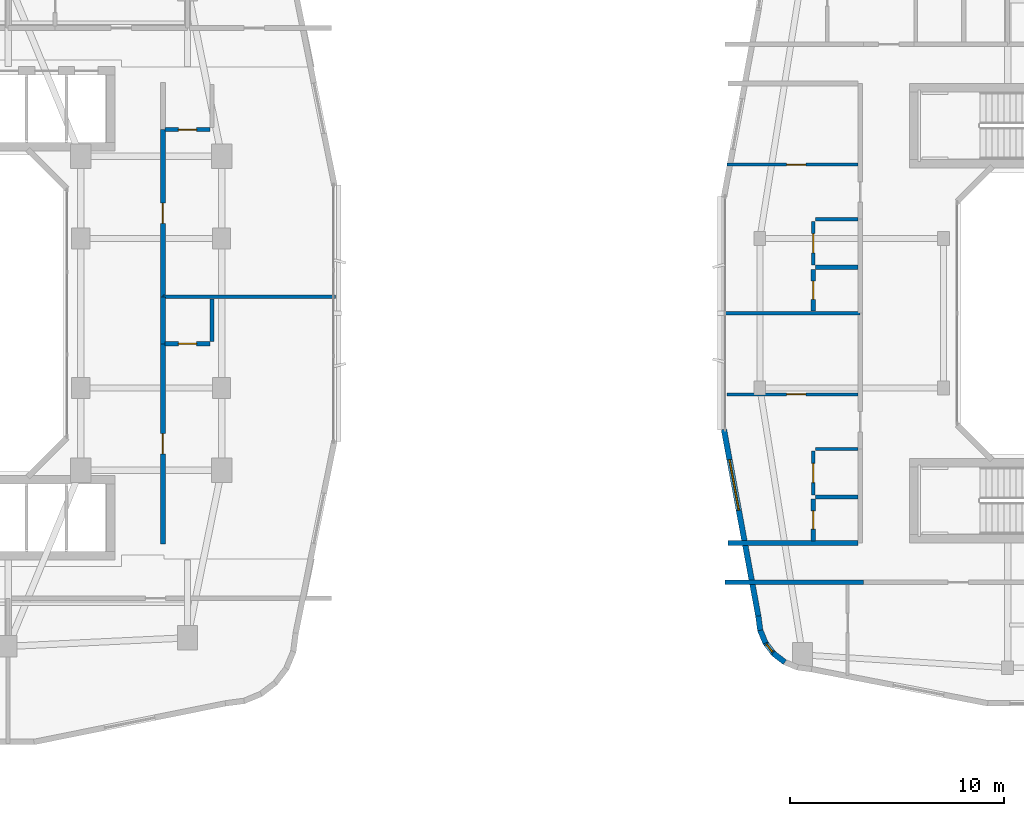
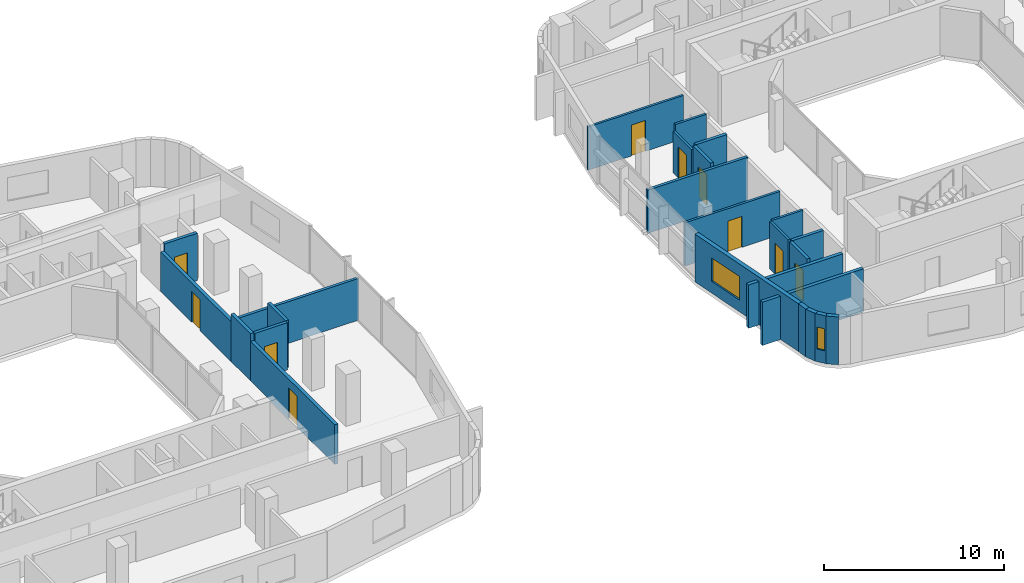
# One storey, part 10 of 22: 25 walls, 10 doors, 2 windows, 12 openings.
"""IFC4 building model written with IfcOpenShell, lengths in metres."""

import ifcopenshell
import ifcopenshell.guid

model = None  # the IFC model being written
_history = None  # IfcOwnerHistory: only IFC2X3 demands one
_inside = {}  # id of a spatial element -> (the spatial element, [elements in it])
_under = {}  # id of a project, library or spatial element -> (it, [spatial elements below it])
_declared = {}  # id of a project -> (the project, [libraries it declares])
_typed = {}  # id of a type object -> (the type object, [elements of that type])
_made_of = {}  # id of a material, layer set ... -> (it, [elements and type objects made of it])


def new_model(schema):
    """Start an empty IFC model of exactly this schema.

    Asked for "IFC4X3", IfcOpenShell would pick the latest addendum, in which some entities
    have other attributes; the version numbers below select the first issue.
    IFC2X3 requires an IfcOwnerHistory on every rooted entity: one is made here for all.
    """
    global model, _history
    if schema == "IFC4X3":
        model = ifcopenshell.file(schema_version=(4, 3, 0, 0))
    else:
        model = ifcopenshell.file(schema=schema)
    _inside.clear()
    _under.clear()
    _declared.clear()
    _typed.clear()
    _made_of.clear()
    _history = None
    if model.schema == "IFC2X3":
        org = make("IfcOrganization", Name="unknown")
        user = make(
            "IfcPersonAndOrganization",
            ThePerson=make("IfcPerson", FamilyName="unknown"),
            TheOrganization=org,
        )
        app = make(
            "IfcApplication",
            ApplicationDeveloper=org,
            Version="unknown",
            ApplicationFullName="unknown",
            ApplicationIdentifier="unknown",
        )
        _history = make(
            "IfcOwnerHistory",
            OwningUser=user,
            OwningApplication=app,
            ChangeAction="ADDED",
            CreationDate=0,
        )
    return model


def make(cls, **values):
    """One entity of the class cls with the attributes given. An attribute that is None is left unset."""
    return model.create_entity(
        cls, **{name: value for name, value in values.items() if value is not None}
    )


def rooted(cls, **values):
    """An entity with a GlobalId (a new one), such as an element, a storey or a relation."""
    return make(cls, GlobalId=ifcopenshell.guid.new(), OwnerHistory=_history, **values)


def si_unit(unit_type, name, prefix=None):
    """IfcSIUnit, for example si_unit("LENGTHUNIT", "METRE", prefix="MILLI")."""
    return make("IfcSIUnit", UnitType=unit_type, Prefix=prefix, Name=name)


def derived_unit(unit_type, elements):
    """IfcDerivedUnit: a product of units, each with its exponent."""
    return make(
        "IfcDerivedUnit",
        Elements=[
            make("IfcDerivedUnitElement", Unit=unit, Exponent=power)
            for unit, power in elements
        ],
        UnitType=unit_type,
    )


def assignment(units):
    """IfcUnitAssignment: the units of a project."""
    return None if units is None else make("IfcUnitAssignment", Units=units)


def point(xyz):
    """IfcCartesianPoint."""
    return None if xyz is None else make("IfcCartesianPoint", Coordinates=xyz)


def direction(xyz):
    """IfcDirection."""
    return None if xyz is None else make("IfcDirection", DirectionRatios=xyz)


def frame(location, z_axis=None, x_axis=None):
    """IfcAxis2Placement3D, a coordinate frame: its origin and axes. An axis left out is left unset."""
    return make(
        "IfcAxis2Placement3D",
        Location=point(location),
        Axis=direction(z_axis),
        RefDirection=direction(x_axis),
    )


def frame_2d(location, x_axis=None):
    """IfcAxis2Placement2D, a coordinate frame in the plane: its origin and x axis."""
    return make(
        "IfcAxis2Placement2D", Location=point(location), RefDirection=direction(x_axis)
    )


def origin():
    """The frame at (0, 0, 0) with its axes left unset."""
    return frame((0.0, 0.0, 0.0))


def place(relative_to, where):
    """IfcLocalPlacement: puts the frame where relative to a parent placement (None: the world)."""
    return make(
        "IfcLocalPlacement", PlacementRelTo=relative_to, RelativePlacement=where
    )


def context(
    kind, dimensions, precision=None, world=None, true_north=None, identifier=None
):
    """IfcGeometricRepresentationContext, for example the 3D "Model" context."""
    return make(
        "IfcGeometricRepresentationContext",
        ContextIdentifier=identifier,
        ContextType=kind,
        CoordinateSpaceDimension=dimensions,
        Precision=precision,
        WorldCoordinateSystem=world,
        TrueNorth=true_north,
    )


def subcontext(parent, identifier, kind, view, scale=None):
    """IfcGeometricRepresentationSubContext, for example "Body" below "Model"."""
    return make(
        "IfcGeometricRepresentationSubContext",
        ContextIdentifier=identifier,
        ContextType=kind,
        ParentContext=parent,
        TargetScale=scale,
        TargetView=view,
    )


def project(units=None, contexts=None):
    """IfcProject with its units and contexts."""
    return rooted(
        "IfcProject",
        Name="project",
        RepresentationContexts=contexts,
        UnitsInContext=assignment(units),
    )


def spatial(cls, under=None, at=None, **own):
    """A site, building, storey or space (cls), placed at a placement, below another one or the project."""
    s = rooted(cls, ObjectPlacement=at, **own)
    if under is not None:
        _under.setdefault(under.id(), (under, []))[1].append(s)
    return s


def profile(cls, at=None, kind="AREA", **sizes):
    """A parametric profile (cls). Its sizes go by their IFC names, for example OverallWidth=200.0."""
    return make(cls, ProfileType=kind, Position=at, **sizes)


def rectangle(**sizes):
    """IfcRectangleProfileDef."""
    return profile("IfcRectangleProfileDef", **sizes)


def extrude(swept, where, along, depth):
    """IfcExtrudedAreaSolid: the profile swept, set in the frame where, extruded along a direction by depth."""
    return make(
        "IfcExtrudedAreaSolid",
        SweptArea=swept,
        Position=where,
        ExtrudedDirection=direction(along),
        Depth=depth,
    )


def shape(context_of_items, identifier, shape_type, items):
    """IfcShapeRepresentation: the items that make up one representation, for example the "Body"."""
    return make(
        "IfcShapeRepresentation",
        ContextOfItems=context_of_items,
        RepresentationIdentifier=identifier,
        RepresentationType=shape_type,
        Items=items,
    )


def material(Name=None, Category=None):
    """IfcMaterial."""
    return make("IfcMaterial", Name=Name, Category=Category)


def layer(
    of_material, thickness, ventilated=None, Name=None, Category=None, Priority=None
):
    """IfcMaterialLayer: one layer of a wall or slab, of a material (None: an air gap)."""
    return make(
        "IfcMaterialLayer",
        Material=of_material,
        LayerThickness=thickness,
        IsVentilated=ventilated,
        Name=Name,
        Category=Category,
        Priority=Priority,
    )


def layer_set(layers, Name=None):
    """IfcMaterialLayerSet."""
    return make("IfcMaterialLayerSet", MaterialLayers=layers, LayerSetName=Name)


def made_of(thing, what):
    """Note that an element or type object is made of a material, layer set ...; save() writes the relation."""
    if what is not None:
        _made_of.setdefault(what.id(), (what, []))[1].append(thing)
    return thing


def type_object(cls, material=None, **own):
    """A type object (cls), such as IfcWallType, which elements share."""
    return made_of(rooted(cls, **own), material)


def element(
    cls,
    number,
    at=None,
    inside=None,
    cuts=None,
    type_object=None,
    material=None,
    context=None,
    identifier="Body",
    shape_type=None,
    held_by="IfcProductDefinitionShape",
    body=None,
    shapes=None,
    **own,
):
    """One element of the class cls, such as IfcWall. Its Tag is "e" and its number.

    at: its placement. inside: the storey or other place that contains it. cuts: it is an
    opening in that element (IfcRelVoidsElement). A single representation is given by context,
    identifier, shape_type and body (its items); several are given by shapes. held_by: the class
    of the entity that holds the representations. save() writes the other relations.
    """
    e = rooted(cls, Tag="e%d" % number, ObjectPlacement=at, **own)
    if body is not None:
        shapes = [shape(context, identifier, shape_type, body)]
    if shapes is not None:
        e.Representation = make(held_by, Representations=shapes)
    if inside is not None:
        _inside.setdefault(inside.id(), (inside, []))[1].append(e)
    if cuts is not None:
        rooted(
            "IfcRelVoidsElement", RelatingBuildingElement=cuts, RelatedOpeningElement=e
        )
    if type_object is not None:
        _typed.setdefault(type_object.id(), (type_object, []))[1].append(e)
    return made_of(e, material)


def fill(opening, filler):
    """IfcRelFillsElement: the door or window that sits in an opening."""
    return rooted(
        "IfcRelFillsElement",
        RelatingOpeningElement=opening,
        RelatedBuildingElement=filler,
    )


def aggregate(whole, parts):
    """IfcRelAggregates: a whole, such as a stair, and the parts it consists of."""
    return rooted("IfcRelAggregates", RelatingObject=whole, RelatedObjects=parts)


def save(model, path):
    """Write the relations noted so far, then the file.

    IfcRelAggregates (storeys below a building ...), IfcRelContainedInSpatialStructure (elements
    in a storey), IfcRelDefinesByType, IfcRelAssociatesMaterial and IfcRelDeclares: one each for
    every whole, place, type object, material and project.
    """
    for whole, parts in _under.values():
        aggregate(whole, parts)
    for where, things in _inside.values():
        rooted(
            "IfcRelContainedInSpatialStructure",
            RelatedElements=things,
            RelatingStructure=where,
        )
    for kind, things in _typed.values():
        rooted("IfcRelDefinesByType", RelatedObjects=things, RelatingType=kind)
    for what, things in _made_of.values():
        rooted("IfcRelAssociatesMaterial", RelatedObjects=things, RelatingMaterial=what)
    for by, libraries in _declared.values():
        rooted("IfcRelDeclares", RelatingContext=by, RelatedDefinitions=libraries)
    model.write(path)


model = new_model("IFC4")

# Units and contexts
model_context = context("Model", 3, precision=1e-05, world=origin(), true_north=direction((0.0, 1.0)))
body_context = subcontext(model_context, "Body", "Model", "MODEL_VIEW")
ifc_project = project(units=[si_unit("LENGTHUNIT", "METRE"), si_unit("AREAUNIT", "SQUARE_METRE"), si_unit("VOLUMEUNIT", "CUBIC_METRE"), si_unit("PLANEANGLEUNIT", "RADIAN"), si_unit("MASSUNIT", "GRAM", prefix="KILO"), derived_unit("THERMALTRANSMITTANCEUNIT", [(si_unit("POWERUNIT", "WATT"), 1), (si_unit("LENGTHUNIT", "METRE"), -2), (si_unit("THERMODYNAMICTEMPERATUREUNIT", "KELVIN"), -1)])], contexts=[model_context])

# Site, building, storey
site_placement = place(None, origin())
site = spatial("IfcSite", under=ifc_project, at=site_placement, CompositionType="ELEMENT")
building_placement = place(site_placement, origin())
building = spatial("IfcBuilding", under=site, at=building_placement, Name="Kivonza Crest Hotel", CompositionType="ELEMENT")
storey_placement = place(building_placement, frame((0.0, 0.0, 112.5)))
storey = spatial("IfcBuildingStorey", under=building, at=storey_placement, Name="L30", CompositionType="ELEMENT", Elevation=112.5)

# Walls
ifc_material_1 = material(Name="High-density acoustic masonry inter-tenancy wall", Category="masonry")
ifc_layer_1 = layer(ifc_material_1, 0.179931640625)
ifc_layer_set_1 = layer_set([ifc_layer_1], Name="High-density acoustic masonry inter-tenancy wall")
wall_type_1 = type_object("IfcWallType", Name="WL-ACOU-180", PredefinedType="SOLIDWALL", material=ifc_layer_set_1)
wall_1_placement = place(storey_placement, frame((33.050048828125, 25.77001953125, 0.0), z_axis=(0.0, 0.0, 1.0), x_axis=(1.0, 0.0, 0.0)))
element("IfcWall", 1, at=wall_1_placement, inside=storey, type_object=wall_type_1, Name="L30 interior partition WA-L30-T1E-DIV1", PredefinedType="SOLIDWALL", context=body_context, shape_type="SweptSolid", body=[
    extrude(rectangle(XDim=8.08984375, YDim=0.179931640625, at=frame_2d((4.044921875, 0.0))), origin(), (0.0, 0.0, 1.0), 2.8349609375),
])
wall_2_placement = place(storey_placement, frame((59.260009765625, 25.0, 0.0), z_axis=(0.0, 0.0, 1.0), x_axis=(1.0, 0.0, 0.0)))
element("IfcWall", 2, at=wall_2_placement, inside=storey, type_object=wall_type_1, Name="L30 interior partition WA-L30-T2W-DIV1", PredefinedType="SOLIDWALL", context=body_context, shape_type="SweptSolid", body=[
    extrude(rectangle(XDim=6.43994140625, YDim=0.179931640625, at=frame_2d((3.219970703125, 0.0))), origin(), (0.0, 0.0, 1.0), 2.945068359375),
])
ifc_material_2 = material(Name="Autoclaved aerated concrete blockwork", Category="masonry")
ifc_layer_2 = layer(ifc_material_2, 0.219970703125)
ifc_layer_set_2 = layer_set([ifc_layer_2], Name="Autoclaved aerated concrete blockwork")
wall_type_2 = type_object("IfcWallType", Name="WL-ACOU-220", PredefinedType="SOLIDWALL", material=ifc_layer_set_2)
wall_3_placement = place(storey_placement, frame((33.050048828125, 23.570068359375, 0.0), z_axis=(0.0, 0.0, 1.0), x_axis=(0.0, 1.0, 0.0)))
element("IfcWall", 3, at=wall_3_placement, inside=storey, type_object=wall_type_2, Name="L30 interior partition WA-L30-E05-BCORR", PredefinedType="SOLIDWALL", context=body_context, shape_type="SweptSolid", body=[
    extrude(rectangle(XDim=2.199951171875, YDim=0.219970703125, at=frame_2d((1.10009765625, 0.0))), origin(), (0.0, 0.0, 1.0), 3.219970703125),
])

# Wall, opening, door
wall_4_placement = place(storey_placement, frame((33.050048828125, 14.199951171875, 0.0), z_axis=(0.0, 0.0, 1.0), x_axis=(0.0, 1.0, 0.0)))
wall_4 = element("IfcWall", 4, at=wall_4_placement, inside=storey, type_object=wall_type_2, Name="L30 interior partition WA-L30-E05-MCORR", PredefinedType="SOLIDWALL", context=body_context, shape_type="SweptSolid", body=[
    extrude(rectangle(XDim=9.3701171875, YDim=0.219970703125, at=frame_2d((4.68505859375, 0.0))), origin(), (0.0, 0.0, 1.0), 2.695068359375),
])
opening_1_placement = place(wall_4_placement, frame((4.2099609375, 0.0, 0.0)))
opening_1 = element("IfcOpeningElement", 5, at=opening_1_placement, cuts=wall_4, Name="Opening DU-60", PredefinedType="OPENING", context=body_context, shape_type="SweptSolid", body=[
    extrude(rectangle(XDim=0.949951171875, YDim=2.10009765625, at=frame_2d((0.47509765625, 1.050048828125))), frame((0.0, 0.1201171875, 0.0), z_axis=(0.0, -1.0, 0.0), x_axis=(1.0, 0.0, 0.0)), (0.0, 0.0, 1.0), 0.239990234375),
])
ifc_material_3 = material(Name="Hardwood timber oak", Category="wood")
door_type_1 = type_object("IfcDoorType", Name="DR-UNIT-950", OperationType="NOTDEFINED", PredefinedType="DOOR", material=ifc_material_3)
door_1_placement = place(opening_1_placement, frame((0.949951171875, 0.0, 0.0), z_axis=(0.0, 0.0, 1.0), x_axis=(-1.0, 0.0, 0.0)))
door_1 = element("IfcDoor", 6, at=door_1_placement, inside=storey, type_object=door_type_1, Name="L30 E05 guest unit entrance fire door", OperationType="SINGLE_SWING_LEFT", OverallHeight=2.10009765625, OverallWidth=0.949951171875, PredefinedType="DOOR", context=body_context, shape_type="SweptSolid", body=[
    extrude(rectangle(XDim=0.949951171875, YDim=2.10009765625, at=frame_2d((0.47509765625, 1.050048828125))), frame((0.0, 0.02490234375, 0.0), z_axis=(0.0, -1.0, 0.0), x_axis=(1.0, 0.0, 0.0)), (0.0, 0.0, 1.0), 0.050048828125),
])
fill(opening_1, door_1)

wall_5_placement = place(storey_placement, frame((33.050048828125, 25.77001953125, 0.0), z_axis=(0.0, 0.0, 1.0), x_axis=(0.0, 1.0, 0.0)))
wall_5 = element("IfcWall", 7, at=wall_5_placement, inside=storey, type_object=wall_type_2, Name="L30 interior partition WA-L30-E06-MCORR", PredefinedType="SOLIDWALL", context=body_context, shape_type="SweptSolid", body=[
    extrude(rectangle(XDim=7.830078125, YDim=0.219970703125, at=frame_2d((3.9150390625, 0.0))), origin(), (0.0, 0.0, 1.0), 2.695068359375),
])
opening_2_placement = place(wall_5_placement, frame((3.43994140625, 0.0, 0.0)))
opening_2 = element("IfcOpeningElement", 8, at=opening_2_placement, cuts=wall_5, Name="Opening DU-60", PredefinedType="OPENING", context=body_context, shape_type="SweptSolid", body=[
    extrude(rectangle(XDim=0.949951171875, YDim=2.10009765625, at=frame_2d((0.47509765625, 1.050048828125))), frame((0.0, 0.1201171875, 0.0), z_axis=(0.0, -1.0, 0.0), x_axis=(1.0, 0.0, 0.0)), (0.0, 0.0, 1.0), 0.239990234375),
])
door_2_placement = place(opening_2_placement, frame((0.949951171875, 0.0, 0.0), z_axis=(0.0, 0.0, 1.0), x_axis=(-1.0, 0.0, 0.0)))
door_2 = element("IfcDoor", 9, at=door_2_placement, inside=storey, type_object=door_type_1, Name="L30 E06 guest unit entrance fire door", OperationType="SINGLE_SWING_RIGHT", OverallHeight=2.10009765625, OverallWidth=0.949951171875, PredefinedType="DOOR", context=body_context, shape_type="SweptSolid", body=[
    extrude(rectangle(XDim=0.949951171875, YDim=2.10009765625, at=frame_2d((0.47509765625, 1.050048828125))), frame((0.0, 0.02490234375, 0.0), z_axis=(0.0, -1.0, 0.0), x_axis=(1.0, 0.0, 0.0)), (0.0, 0.0, 1.0), 0.050048828125),
])
fill(opening_2, door_2)

# Walls
wall_6_placement = place(storey_placement, frame((59.360107421875, 12.39990234375, 0.0), z_axis=(0.0, 0.0, 1.0), x_axis=(1.0, 0.0, 0.0)))
element("IfcWall", 10, at=wall_6_placement, inside=storey, type_object=wall_type_2, Name="L30 interior partition WA-L30-A03-LCORR", PredefinedType="SOLIDWALL", context=body_context, shape_type="SweptSolid", body=[
    extrude(rectangle(XDim=6.489990234375, YDim=0.219970703125, at=frame_2d((3.2451171875, 0.0))), origin(), (0.0, 0.0, 1.0), 2.945068359375),
])
wall_7_placement = place(storey_placement, frame((59.52001953125, 14.239990234375, 0.0), z_axis=(0.0, 0.0, 1.0), x_axis=(1.0, 0.0, 0.0)))
element("IfcWall", 11, at=wall_7_placement, inside=storey, type_object=wall_type_2, Name="L30 interior partition WA-L30-T2W-ENDS", PredefinedType="SOLIDWALL", context=body_context, shape_type="SweptSolid", body=[
    extrude(rectangle(XDim=6.080078125, YDim=0.219970703125, at=frame_2d((3.0400390625, 0.0))), origin(), (0.0, 0.0, 1.0), 2.945068359375),
])
ifc_material_4 = material(Name="Precast concrete C40/50", Category="concrete")
ifc_layer_3 = layer(ifc_material_4, 0.260009765625)
ifc_layer_set_3 = layer_set([ifc_layer_3], Name="Precast concrete C40/50")
wall_type_3 = type_object("IfcWallType", Name="WL-EXT-260", PredefinedType="STANDARD", material=ifc_layer_set_3)
wall_8_placement = place(storey_placement, frame((60.927978515625, 10.824951171875, 0.0), z_axis=(0.0, 0.0, 1.0), x_axis=(0.131667498923, -0.991293937098, 0.0)))
element("IfcWall", 12, at=wall_8_placement, inside=storey, type_object=wall_type_3, Name="L30 T2 exterior insulated wall 1", PredefinedType="STANDARD", context=body_context, shape_type="SweptSolid", body=[
    extrude(rectangle(XDim=0.6767578125, YDim=0.260009765625, at=frame_2d((0.33837890625, 0.0))), origin(), (0.0, 0.0, 1.0), 3.25),
])
wall_9_placement = place(storey_placement, frame((60.9990234375, 10.199951171875, 0.0), z_axis=(0.0, 0.0, 1.0), x_axis=(0.381988976935, -0.924166879681, 0.0)))
element("IfcWall", 13, at=wall_9_placement, inside=storey, type_object=wall_type_3, Name="L30 T2 exterior insulated wall 2", PredefinedType="STANDARD", context=body_context, shape_type="SweptSolid", body=[
    extrude(rectangle(XDim=0.693359375, YDim=0.260009765625, at=frame_2d((0.3466796875, 0.0))), origin(), (0.0, 0.0, 1.0), 3.25),
])

# Wall, opening, window
wall_10_placement = place(storey_placement, frame((61.236083984375, 9.59912109375, 0.0), z_axis=(0.0, 0.0, 1.0), x_axis=(0.609472651958, -0.792807092876, 0.0)))
wall_10 = element("IfcWall", 14, at=wall_10_placement, inside=storey, type_object=wall_type_3, Name="L30 T2 exterior insulated wall 3", PredefinedType="STANDARD", context=body_context, shape_type="SweptSolid", body=[
    extrude(rectangle(XDim=0.69384765625, YDim=0.260009765625, at=frame_2d((0.346923828125, 0.0))), origin(), (0.0, 0.0, 1.0), 3.25),
])
opening_3_placement = place(wall_10_placement, frame((0.1220703125, 0.0, 0.85009765625)))
opening_3 = element("IfcOpeningElement", 15, at=opening_3_placement, cuts=wall_10, Name="Opening WN-11", PredefinedType="OPENING", context=body_context, shape_type="SweptSolid", body=[
    extrude(rectangle(XDim=0.449951171875, YDim=1.5, at=frame_2d((0.22509765625, 0.75))), frame((0.0, 0.14013671875, 0.0), z_axis=(0.0, -1.0, 0.0), x_axis=(1.0, 0.0, 0.0)), (0.0, 0.0, 1.0), 0.280029296875),
])
ifc_material_5 = material(Name="Thermally broken bronze aluminium and low-E double glazing", Category="aluminium")
window_type_1 = type_object("IfcWindowType", Name="WN-045x150", PartitioningType="SINGLE_PANEL", PredefinedType="WINDOW", material=ifc_material_5)
window_1_placement = place(opening_3_placement, origin())
window_1 = element("IfcWindow", 16, at=window_1_placement, inside=storey, type_object=window_type_1, Name="L30 corner vision window 3", OverallHeight=1.5, OverallWidth=0.449951171875, PartitioningType="SINGLE_PANEL", PredefinedType="WINDOW", context=body_context, shape_type="SweptSolid", body=[
    extrude(rectangle(XDim=0.449951171875, YDim=1.5, at=frame_2d((0.22509765625, 0.75))), frame((0.0, 0.030029296875, 0.0), z_axis=(0.0, -1.0, 0.0), x_axis=(1.0, 0.0, 0.0)), (0.0, 0.0, 1.0), 0.06005859375),
])
fill(opening_3, window_1)

# Wall
wall_11_placement = place(storey_placement, frame((61.62109375, 9.080078125, 0.0), z_axis=(0.0, 0.0, 1.0), x_axis=(0.792506234191, -0.609863811657, 0.0)))
element("IfcWall", 17, at=wall_11_placement, inside=storey, type_object=wall_type_3, Name="L30 T2 exterior insulated wall 4", PredefinedType="STANDARD", context=body_context, shape_type="SweptSolid", body=[
    extrude(rectangle(XDim=0.69384765625, YDim=0.260009765625, at=frame_2d((0.346923828125, 0.0))), origin(), (0.0, 0.0, 1.0), 3.25),
])

# Wall, opening, window
wall_12_placement = place(storey_placement, frame((59.318115234375, 19.55810546875, 0.0), z_axis=(0.0, 0.0, 1.0), x_axis=(0.181209963057, -0.983444431215, 0.0)))
wall_12 = element("IfcWall", 18, at=wall_12_placement, inside=storey, type_object=wall_type_3, Name="L30 T2 exterior insulated wall 36", PredefinedType="STANDARD", context=body_context, shape_type="SweptSolid", body=[
    extrude(rectangle(XDim=8.889404296875, YDim=0.260009765625, at=frame_2d((4.44482421875, 0.0))), origin(), (0.0, 0.0, 1.0), 3.25),
])
opening_4_placement = place(wall_12_placement, frame((1.444091796875, 0.0, 0.800048828125)))
opening_4 = element("IfcOpeningElement", 19, at=opening_4_placement, cuts=wall_12, Name="Opening WN-05", PredefinedType="OPENING", context=body_context, shape_type="SweptSolid", body=[
    extrude(rectangle(XDim=2.39990234375, YDim=1.60009765625, at=frame_2d((1.199951171875, 0.800048828125))), frame((0.0, 0.14013671875, 0.0), z_axis=(0.0, -1.0, 0.0), x_axis=(1.0, 0.0, 0.0)), (0.0, 0.0, 1.0), 0.280029296875),
])
window_type_2 = type_object("IfcWindowType", Name="WN-240x160", PartitioningType="TRIPLE_PANEL_VERTICAL", PredefinedType="WINDOW", material=ifc_material_5)
window_2_placement = place(opening_4_placement, origin())
window_2 = element("IfcWindow", 20, at=window_2_placement, inside=storey, type_object=window_type_2, Name="L30 T2 facade window 36", OverallHeight=1.60009765625, OverallWidth=2.39990234375, PartitioningType="SINGLE_PANEL", PredefinedType="WINDOW", context=body_context, shape_type="SweptSolid", body=[
    extrude(rectangle(XDim=2.39990234375, YDim=1.60009765625, at=frame_2d((1.199951171875, 0.800048828125))), frame((0.0, 0.030029296875, 0.0), z_axis=(0.0, -1.0, 0.0), x_axis=(1.0, 0.0, 0.0)), (0.0, 0.0, 1.0), 0.06005859375),
])
fill(opening_4, window_2)

# Wall, opening, door
ifc_material_6 = material(Name="Twin-stud acoustic gypsum board partition", Category="gypsum")
ifc_layer_4 = layer(ifc_material_6, 0.14990234375)
ifc_layer_set_4 = layer_set([ifc_layer_4], Name="Twin-stud acoustic gypsum board partition")
wall_type_4 = type_object("IfcWallType", Name="WL-PART-150", PredefinedType="PARTITIONING", material=ifc_layer_set_4)
wall_13_placement = place(storey_placement, frame((59.4599609375, 21.199951171875, 0.0), z_axis=(0.0, 0.0, 1.0), x_axis=(1.0, 0.0, 0.0)))
wall_13 = element("IfcWall", 21, at=wall_13_placement, inside=storey, type_object=wall_type_4, Name="L30 interior partition WP-L30-A05-BD1", PredefinedType="PARTITIONING", context=body_context, shape_type="SweptSolid", body=[
    extrude(rectangle(XDim=6.14013671875, YDim=0.14990234375, at=frame_2d((3.070068359375, 0.0))), origin(), (0.0, 0.0, 1.0), 2.945068359375),
])
opening_5_placement = place(wall_13_placement, frame((2.7900390625, 0.0, 0.0)))
opening_5 = element("IfcOpeningElement", 22, at=opening_5_placement, cuts=wall_13, Name="Opening DI-90", PredefinedType="OPENING", context=body_context, shape_type="SweptSolid", body=[
    extrude(rectangle(XDim=0.89990234375, YDim=2.10009765625, at=frame_2d((0.449951171875, 1.050048828125))), frame((0.0, 0.0849609375, 0.0), z_axis=(0.0, -1.0, 0.0), x_axis=(1.0, 0.0, 0.0)), (0.0, 0.0, 1.0), 0.169921875),
])
door_type_2 = type_object("IfcDoorType", Name="DR-INT-900", OperationType="NOTDEFINED", PredefinedType="DOOR", material=ifc_material_3)
door_3_placement = place(opening_5_placement, origin())
door_3 = element("IfcDoor", 23, at=door_3_placement, inside=storey, type_object=door_type_2, Name="L30 A05 bedroom door", OperationType="SINGLE_SWING_RIGHT", OverallHeight=2.10009765625, OverallWidth=0.89990234375, PredefinedType="DOOR", context=body_context, shape_type="SweptSolid", body=[
    extrude(rectangle(XDim=0.89990234375, YDim=2.10009765625, at=frame_2d((0.449951171875, 1.050048828125))), frame((0.0, 0.02490234375, 0.0), z_axis=(0.0, -1.0, 0.0), x_axis=(1.0, 0.0, 0.0)), (0.0, 0.0, 1.0), 0.050048828125),
])
fill(opening_5, door_3)

# Wall
wall_14_placement = place(storey_placement, frame((63.60009765625, 18.639892578125, 0.0), z_axis=(0.0, 0.0, 1.0), x_axis=(1.0, 0.0, 0.0)))
element("IfcWall", 24, at=wall_14_placement, inside=storey, type_object=wall_type_4, Name="L30 interior partition WP-L30-A05-KF", PredefinedType="PARTITIONING", context=body_context, shape_type="SweptSolid", body=[
    extrude(rectangle(XDim=2.0, YDim=0.14990234375, at=frame_2d((1.0, 0.0))), origin(), (0.0, 0.0, 1.0), 3.219970703125),
])

# Wall, opening, door
wall_15_placement = place(storey_placement, frame((63.5, 16.489990234375, 0.0), z_axis=(0.0, 0.0, 1.0), x_axis=(0.0, 1.0, 0.0)))
wall_15 = element("IfcWall", 25, at=wall_15_placement, inside=storey, type_object=wall_type_4, Name="L30 interior partition WP-L30-A05-KSVC", PredefinedType="PARTITIONING", context=body_context, shape_type="SweptSolid", body=[
    extrude(rectangle(XDim=2.050048828125, YDim=0.14990234375, at=frame_2d((1.02490234375, 0.0))), origin(), (0.0, 0.0, 1.0), 3.219970703125),
])
opening_6_placement = place(wall_15_placement, frame((0.574951171875, 0.0, 0.0)))
opening_6 = element("IfcOpeningElement", 26, at=opening_6_placement, cuts=wall_15, Name="Opening DI-90", PredefinedType="OPENING", context=body_context, shape_type="SweptSolid", body=[
    extrude(rectangle(XDim=0.89990234375, YDim=2.10009765625, at=frame_2d((0.449951171875, 1.050048828125))), frame((0.0, 0.0849609375, 0.0), z_axis=(0.0, -1.0, 0.0), x_axis=(1.0, 0.0, 0.0)), (0.0, 0.0, 1.0), 0.169921875),
])
door_4_placement = place(opening_6_placement, origin())
door_4 = element("IfcDoor", 27, at=door_4_placement, inside=storey, type_object=door_type_2, Name="L30 A05 apartment kitchen door", OperationType="SINGLE_SWING_LEFT", OverallHeight=2.10009765625, OverallWidth=0.89990234375, PredefinedType="DOOR", context=body_context, shape_type="SweptSolid", body=[
    extrude(rectangle(XDim=0.89990234375, YDim=2.10009765625, at=frame_2d((0.449951171875, 1.050048828125))), frame((0.0, 0.02490234375, 0.0), z_axis=(0.0, -1.0, 0.0), x_axis=(1.0, 0.0, 0.0)), (0.0, 0.0, 1.0), 0.050048828125),
])
fill(opening_6, door_4)

wall_16_placement = place(storey_placement, frame((59.4599609375, 31.9599609375, 0.0), z_axis=(0.0, 0.0, 1.0), x_axis=(1.0, 0.0, 0.0)))
wall_16 = element("IfcWall", 28, at=wall_16_placement, inside=storey, type_object=wall_type_4, Name="L30 interior partition WP-L30-A06-BD1", PredefinedType="PARTITIONING", context=body_context, shape_type="SweptSolid", body=[
    extrude(rectangle(XDim=6.14013671875, YDim=0.14990234375, at=frame_2d((3.070068359375, 0.0))), origin(), (0.0, 0.0, 1.0), 2.945068359375),
])
opening_7_placement = place(wall_16_placement, frame((2.7900390625, 0.0, 0.0)))
opening_7 = element("IfcOpeningElement", 29, at=opening_7_placement, cuts=wall_16, Name="Opening DI-90", PredefinedType="OPENING", context=body_context, shape_type="SweptSolid", body=[
    extrude(rectangle(XDim=0.89990234375, YDim=2.10009765625, at=frame_2d((0.449951171875, 1.050048828125))), frame((0.0, 0.0849609375, 0.0), z_axis=(0.0, -1.0, 0.0), x_axis=(1.0, 0.0, 0.0)), (0.0, 0.0, 1.0), 0.169921875),
])
door_5_placement = place(opening_7_placement, origin())
door_5 = element("IfcDoor", 30, at=door_5_placement, inside=storey, type_object=door_type_2, Name="L30 A06 bedroom door", OperationType="SINGLE_SWING_LEFT", OverallHeight=2.10009765625, OverallWidth=0.89990234375, PredefinedType="DOOR", context=body_context, shape_type="SweptSolid", body=[
    extrude(rectangle(XDim=0.89990234375, YDim=2.10009765625, at=frame_2d((0.449951171875, 1.050048828125))), frame((0.0, 0.02490234375, 0.0), z_axis=(0.0, -1.0, 0.0), x_axis=(1.0, 0.0, 0.0)), (0.0, 0.0, 1.0), 0.050048828125),
])
fill(opening_7, door_5)

# Wall
wall_17_placement = place(storey_placement, frame((63.60009765625, 29.39990234375, 0.0), z_axis=(0.0, 0.0, 1.0), x_axis=(1.0, 0.0, 0.0)))
element("IfcWall", 31, at=wall_17_placement, inside=storey, type_object=wall_type_4, Name="L30 interior partition WP-L30-A06-KF", PredefinedType="PARTITIONING", context=body_context, shape_type="SweptSolid", body=[
    extrude(rectangle(XDim=2.0, YDim=0.14990234375, at=frame_2d((1.0, 0.0))), origin(), (0.0, 0.0, 1.0), 3.219970703125),
])

# Wall, opening, door
wall_18_placement = place(storey_placement, frame((63.5, 27.25, 0.0), z_axis=(0.0, 0.0, 1.0), x_axis=(0.0, 1.0, 0.0)))
wall_18 = element("IfcWall", 32, at=wall_18_placement, inside=storey, type_object=wall_type_4, Name="L30 interior partition WP-L30-A06-KSVC", PredefinedType="PARTITIONING", context=body_context, shape_type="SweptSolid", body=[
    extrude(rectangle(XDim=2.050048828125, YDim=0.14990234375, at=frame_2d((1.02490234375, 0.0))), origin(), (0.0, 0.0, 1.0), 2.824951171875),
])
opening_8_placement = place(wall_18_placement, frame((0.574951171875, 0.0, 0.0)))
opening_8 = element("IfcOpeningElement", 33, at=opening_8_placement, cuts=wall_18, Name="Opening DI-90", PredefinedType="OPENING", context=body_context, shape_type="SweptSolid", body=[
    extrude(rectangle(XDim=0.89990234375, YDim=2.10009765625, at=frame_2d((0.449951171875, 1.050048828125))), frame((0.0, 0.0849609375, 0.0), z_axis=(0.0, -1.0, 0.0), x_axis=(1.0, 0.0, 0.0)), (0.0, 0.0, 1.0), 0.169921875),
])
door_6_placement = place(opening_8_placement, origin())
door_6 = element("IfcDoor", 34, at=door_6_placement, inside=storey, type_object=door_type_2, Name="L30 A06 apartment kitchen door", OperationType="SINGLE_SWING_RIGHT", OverallHeight=2.10009765625, OverallWidth=0.89990234375, PredefinedType="DOOR", context=body_context, shape_type="SweptSolid", body=[
    extrude(rectangle(XDim=0.89990234375, YDim=2.10009765625, at=frame_2d((0.449951171875, 1.050048828125))), frame((0.0, 0.02490234375, 0.0), z_axis=(0.0, -1.0, 0.0), x_axis=(1.0, 0.0, 0.0)), (0.0, 0.0, 1.0), 0.050048828125),
])
fill(opening_8, door_6)

ifc_material_7 = material(Name="Moisture-resistant plumbing chase partition wall", Category="gypsum")
ifc_layer_5 = layer(ifc_material_7, 0.199951171875)
ifc_layer_set_5 = layer_set([ifc_layer_5], Name="Moisture-resistant plumbing chase partition wall")
wall_type_5 = type_object("IfcWallType", Name="WL-PLUMB-200", PredefinedType="PLUMBINGWALL", material=ifc_layer_set_5)
wall_19_placement = place(storey_placement, frame((33.14990234375, 23.570068359375, 0.0), z_axis=(0.0, 0.0, 1.0), x_axis=(1.0, 0.0, 0.0)))
wall_19 = element("IfcWall", 35, at=wall_19_placement, inside=storey, type_object=wall_type_5, Name="L30 interior partition WW-L30-E05-BH", PredefinedType="PLUMBINGWALL", context=body_context, shape_type="SweptSolid", body=[
    extrude(rectangle(XDim=2.10009765625, YDim=0.199951171875, at=frame_2d((1.050048828125, 0.0))), origin(), (0.0, 0.0, 1.0), 3.219970703125),
])
opening_9_placement = place(wall_19_placement, frame((0.625, 0.0, 0.0)))
opening_9 = element("IfcOpeningElement", 36, at=opening_9_placement, cuts=wall_19, Name="Opening DI-85", PredefinedType="OPENING", context=body_context, shape_type="SweptSolid", body=[
    extrude(rectangle(XDim=0.85009765625, YDim=2.10009765625, at=frame_2d((0.425048828125, 1.050048828125))), frame((0.0, 0.10986328125, 0.0), z_axis=(0.0, -1.0, 0.0), x_axis=(1.0, 0.0, 0.0)), (0.0, 0.0, 1.0), 0.219970703125),
])
door_type_3 = type_object("IfcDoorType", Name="DR-INT-850", OperationType="NOTDEFINED", PredefinedType="DOOR", material=ifc_material_3)
door_7_placement = place(opening_9_placement, frame((0.85009765625, 0.0, 0.0), z_axis=(0.0, 0.0, 1.0), x_axis=(-1.0, 0.0, 0.0)))
door_7 = element("IfcDoor", 37, at=door_7_placement, inside=storey, type_object=door_type_3, Name="L30 E05 en-suite bathroom door", OperationType="SINGLE_SWING_RIGHT", OverallHeight=2.10009765625, OverallWidth=0.85009765625, PredefinedType="DOOR", context=body_context, shape_type="SweptSolid", body=[
    extrude(rectangle(XDim=0.85009765625, YDim=2.10009765625, at=frame_2d((0.425048828125, 1.050048828125))), frame((0.0, 0.02490234375, 0.0), z_axis=(0.0, -1.0, 0.0), x_axis=(1.0, 0.0, 0.0)), (0.0, 0.0, 1.0), 0.050048828125),
])
fill(opening_9, door_7)

# Wall
wall_20_placement = place(storey_placement, frame((35.35009765625, 23.669921875, 0.0), z_axis=(0.0, 0.0, 1.0), x_axis=(0.0, 1.0, 0.0)))
element("IfcWall", 38, at=wall_20_placement, inside=storey, type_object=wall_type_5, Name="L30 interior partition WW-L30-E05-BV", PredefinedType="PLUMBINGWALL", context=body_context, shape_type="SweptSolid", body=[
    extrude(rectangle(XDim=2.0, YDim=0.199951171875, at=frame_2d((1.0, 0.0))), origin(), (0.0, 0.0, 1.0), 3.219970703125),
])

# Wall, opening, door
wall_21_placement = place(storey_placement, frame((33.14990234375, 33.60009765625, 0.0), z_axis=(0.0, 0.0, 1.0), x_axis=(1.0, 0.0, 0.0)))
wall_21 = element("IfcWall", 39, at=wall_21_placement, inside=storey, type_object=wall_type_5, Name="L30 interior partition WW-L30-E06-BH", PredefinedType="PLUMBINGWALL", context=body_context, shape_type="SweptSolid", body=[
    extrude(rectangle(XDim=2.10009765625, YDim=0.199951171875, at=frame_2d((1.050048828125, 0.0))), origin(), (0.0, 0.0, 1.0), 3.219970703125),
])
opening_10_placement = place(wall_21_placement, frame((0.625, 0.0, 0.0)))
opening_10 = element("IfcOpeningElement", 40, at=opening_10_placement, cuts=wall_21, Name="Opening DI-85", PredefinedType="OPENING", context=body_context, shape_type="SweptSolid", body=[
    extrude(rectangle(XDim=0.85009765625, YDim=2.10009765625, at=frame_2d((0.425048828125, 1.050048828125))), frame((0.0, 0.10986328125, 0.0), z_axis=(0.0, -1.0, 0.0), x_axis=(1.0, 0.0, 0.0)), (0.0, 0.0, 1.0), 0.219970703125),
])
door_8_placement = place(opening_10_placement, frame((0.85009765625, 0.0, 0.0), z_axis=(0.0, 0.0, 1.0), x_axis=(-1.0, 0.0, 0.0)))
door_8 = element("IfcDoor", 41, at=door_8_placement, inside=storey, type_object=door_type_3, Name="L30 E06 en-suite bathroom door", OperationType="SINGLE_SWING_LEFT", OverallHeight=2.10009765625, OverallWidth=0.85009765625, PredefinedType="DOOR", context=body_context, shape_type="SweptSolid", body=[
    extrude(rectangle(XDim=0.85009765625, YDim=2.10009765625, at=frame_2d((0.425048828125, 1.050048828125))), frame((0.0, 0.02490234375, 0.0), z_axis=(0.0, -1.0, 0.0), x_axis=(1.0, 0.0, 0.0)), (0.0, 0.0, 1.0), 0.050048828125),
])
fill(opening_10, door_8)

# Wall
wall_22_placement = place(storey_placement, frame((63.60009765625, 16.389892578125, 0.0), z_axis=(0.0, 0.0, 1.0), x_axis=(1.0, 0.0, 0.0)))
element("IfcWall", 42, at=wall_22_placement, inside=storey, type_object=wall_type_5, Name="L30 interior partition WW-L30-A05-BK", PredefinedType="PLUMBINGWALL", context=body_context, shape_type="SweptSolid", body=[
    extrude(rectangle(XDim=2.0, YDim=0.199951171875, at=frame_2d((1.0, 0.0))), origin(), (0.0, 0.0, 1.0), 3.219970703125),
])

# Wall, opening, door
wall_23_placement = place(storey_placement, frame((63.5, 14.340087890625, 0.0), z_axis=(0.0, 0.0, 1.0), x_axis=(0.0, 1.0, 0.0)))
wall_23 = element("IfcWall", 43, at=wall_23_placement, inside=storey, type_object=wall_type_5, Name="L30 interior partition WW-L30-A05-BSVC", PredefinedType="PLUMBINGWALL", context=body_context, shape_type="SweptSolid", body=[
    extrude(rectangle(XDim=1.949951171875, YDim=0.199951171875, at=frame_2d((0.97509765625, 0.0))), origin(), (0.0, 0.0, 1.0), 3.219970703125),
])
opening_11_placement = place(wall_23_placement, frame((0.550048828125, 0.0, 0.0)))
opening_11 = element("IfcOpeningElement", 44, at=opening_11_placement, cuts=wall_23, Name="Opening DI-85", PredefinedType="OPENING", context=body_context, shape_type="SweptSolid", body=[
    extrude(rectangle(XDim=0.85009765625, YDim=2.10009765625, at=frame_2d((0.425048828125, 1.050048828125))), frame((0.0, 0.10986328125, 0.0), z_axis=(0.0, -1.0, 0.0), x_axis=(1.0, 0.0, 0.0)), (0.0, 0.0, 1.0), 0.219970703125),
])
door_9_placement = place(opening_11_placement, origin())
door_9 = element("IfcDoor", 45, at=door_9_placement, inside=storey, type_object=door_type_3, Name="L30 A05 apartment bathroom door", OperationType="SINGLE_SWING_RIGHT", OverallHeight=2.10009765625, OverallWidth=0.85009765625, PredefinedType="DOOR", context=body_context, shape_type="SweptSolid", body=[
    extrude(rectangle(XDim=0.85009765625, YDim=2.10009765625, at=frame_2d((0.425048828125, 1.050048828125))), frame((0.0, 0.02490234375, 0.0), z_axis=(0.0, -1.0, 0.0), x_axis=(1.0, 0.0, 0.0)), (0.0, 0.0, 1.0), 0.050048828125),
])
fill(opening_11, door_9)

# Wall
wall_24_placement = place(storey_placement, frame((63.60009765625, 27.14990234375, 0.0), z_axis=(0.0, 0.0, 1.0), x_axis=(1.0, 0.0, 0.0)))
element("IfcWall", 46, at=wall_24_placement, inside=storey, type_object=wall_type_5, Name="L30 interior partition WW-L30-A06-BK", PredefinedType="PLUMBINGWALL", context=body_context, shape_type="SweptSolid", body=[
    extrude(rectangle(XDim=2.0, YDim=0.199951171875, at=frame_2d((1.0, 0.0))), origin(), (0.0, 0.0, 1.0), 3.219970703125),
])

# Wall, opening, door
wall_25_placement = place(storey_placement, frame((63.5, 25.10009765625, 0.0), z_axis=(0.0, 0.0, 1.0), x_axis=(0.0, 1.0, 0.0)))
wall_25 = element("IfcWall", 47, at=wall_25_placement, inside=storey, type_object=wall_type_5, Name="L30 interior partition WW-L30-A06-BSVC", PredefinedType="PLUMBINGWALL", context=body_context, shape_type="SweptSolid", body=[
    extrude(rectangle(XDim=1.949951171875, YDim=0.199951171875, at=frame_2d((0.97509765625, 0.0))), origin(), (0.0, 0.0, 1.0), 3.219970703125),
])
opening_12_placement = place(wall_25_placement, frame((0.550048828125, 0.0, 0.0)))
opening_12 = element("IfcOpeningElement", 48, at=opening_12_placement, cuts=wall_25, Name="Opening DI-85", PredefinedType="OPENING", context=body_context, shape_type="SweptSolid", body=[
    extrude(rectangle(XDim=0.85009765625, YDim=2.10009765625, at=frame_2d((0.425048828125, 1.050048828125))), frame((0.0, 0.10986328125, 0.0), z_axis=(0.0, -1.0, 0.0), x_axis=(1.0, 0.0, 0.0)), (0.0, 0.0, 1.0), 0.219970703125),
])
door_10_placement = place(opening_12_placement, origin())
door_10 = element("IfcDoor", 49, at=door_10_placement, inside=storey, type_object=door_type_3, Name="L30 A06 apartment bathroom door", OperationType="SINGLE_SWING_LEFT", OverallHeight=2.10009765625, OverallWidth=0.85009765625, PredefinedType="DOOR", context=body_context, shape_type="SweptSolid", body=[
    extrude(rectangle(XDim=0.85009765625, YDim=2.10009765625, at=frame_2d((0.425048828125, 1.050048828125))), frame((0.0, 0.02490234375, 0.0), z_axis=(0.0, -1.0, 0.0), x_axis=(1.0, 0.0, 0.0)), (0.0, 0.0, 1.0), 0.050048828125),
])
fill(opening_12, door_10)

save(model, "model.ifc")
